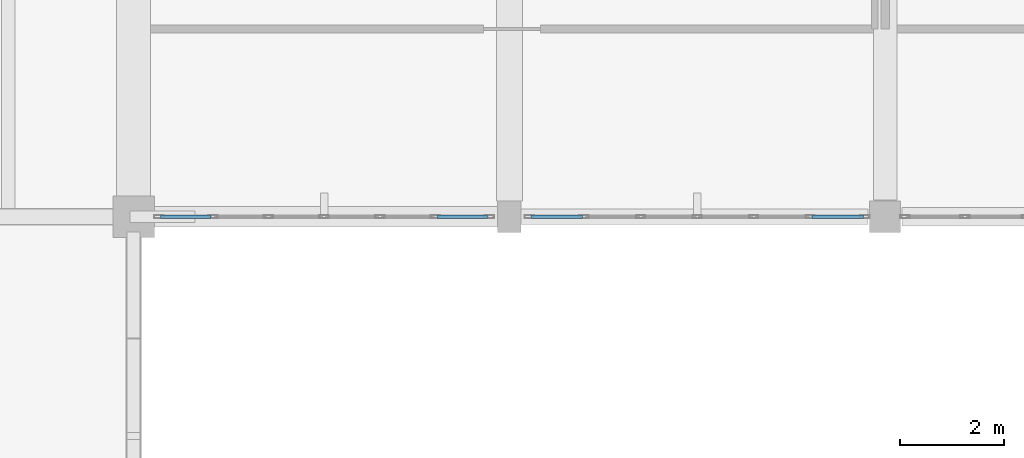
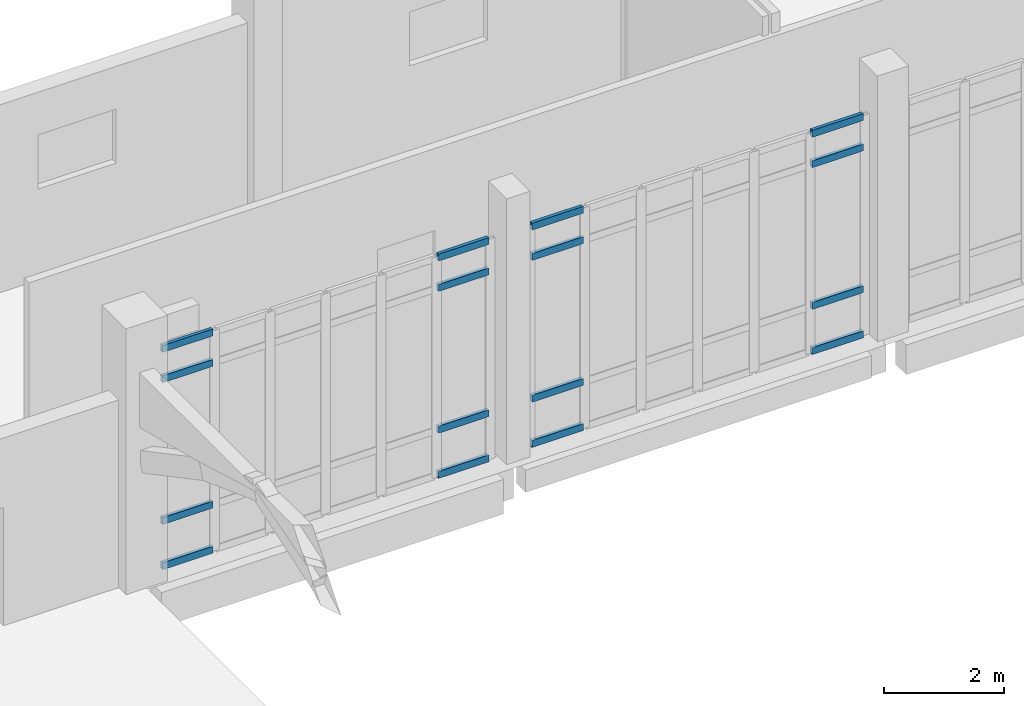
# One storey, part 73 of 110: 16 members, 2 elements without a shape of their own.
"""IFC4 building model written with IfcOpenShell, lengths in metres."""

import ifcopenshell
import ifcopenshell.guid

model = None  # the IFC model being written
_history = None  # IfcOwnerHistory: only IFC2X3 demands one
_inside = {}  # id of a spatial element -> (the spatial element, [elements in it])
_under = {}  # id of a project, library or spatial element -> (it, [spatial elements below it])
_declared = {}  # id of a project -> (the project, [libraries it declares])
_typed = {}  # id of a type object -> (the type object, [elements of that type])
_made_of = {}  # id of a material, layer set ... -> (it, [elements and type objects made of it])


def new_model(schema):
    """Start an empty IFC model of exactly this schema.

    Asked for "IFC4X3", IfcOpenShell would pick the latest addendum, in which some entities
    have other attributes; the version numbers below select the first issue.
    IFC2X3 requires an IfcOwnerHistory on every rooted entity: one is made here for all.
    """
    global model, _history
    if schema == "IFC4X3":
        model = ifcopenshell.file(schema_version=(4, 3, 0, 0))
    else:
        model = ifcopenshell.file(schema=schema)
    _inside.clear()
    _under.clear()
    _declared.clear()
    _typed.clear()
    _made_of.clear()
    _history = None
    if model.schema == "IFC2X3":
        org = make("IfcOrganization", Name="unknown")
        user = make(
            "IfcPersonAndOrganization",
            ThePerson=make("IfcPerson", FamilyName="unknown"),
            TheOrganization=org,
        )
        app = make(
            "IfcApplication",
            ApplicationDeveloper=org,
            Version="unknown",
            ApplicationFullName="unknown",
            ApplicationIdentifier="unknown",
        )
        _history = make(
            "IfcOwnerHistory",
            OwningUser=user,
            OwningApplication=app,
            ChangeAction="ADDED",
            CreationDate=0,
        )
    return model


def make(cls, **values):
    """One entity of the class cls with the attributes given. An attribute that is None is left unset."""
    return model.create_entity(
        cls, **{name: value for name, value in values.items() if value is not None}
    )


def rooted(cls, **values):
    """An entity with a GlobalId (a new one), such as an element, a storey or a relation."""
    return make(cls, GlobalId=ifcopenshell.guid.new(), OwnerHistory=_history, **values)


def si_unit(unit_type, name, prefix=None):
    """IfcSIUnit, for example si_unit("LENGTHUNIT", "METRE", prefix="MILLI")."""
    return make("IfcSIUnit", UnitType=unit_type, Prefix=prefix, Name=name)


def assignment(units):
    """IfcUnitAssignment: the units of a project."""
    return None if units is None else make("IfcUnitAssignment", Units=units)


def point(xyz):
    """IfcCartesianPoint."""
    return None if xyz is None else make("IfcCartesianPoint", Coordinates=xyz)


def direction(xyz):
    """IfcDirection."""
    return None if xyz is None else make("IfcDirection", DirectionRatios=xyz)


def frame(location, z_axis=None, x_axis=None):
    """IfcAxis2Placement3D, a coordinate frame: its origin and axes. An axis left out is left unset."""
    return make(
        "IfcAxis2Placement3D",
        Location=point(location),
        Axis=direction(z_axis),
        RefDirection=direction(x_axis),
    )


def frame_2d(location, x_axis=None):
    """IfcAxis2Placement2D, a coordinate frame in the plane: its origin and x axis."""
    return make(
        "IfcAxis2Placement2D", Location=point(location), RefDirection=direction(x_axis)
    )


def origin():
    """The frame at (0, 0, 0) with its axes left unset."""
    return frame((0.0, 0.0, 0.0))


def origin_2d():
    """The frame at (0, 0) in the plane with its x axis left unset."""
    return frame_2d((0.0, 0.0))


def place(relative_to, where):
    """IfcLocalPlacement: puts the frame where relative to a parent placement (None: the world)."""
    return make(
        "IfcLocalPlacement", PlacementRelTo=relative_to, RelativePlacement=where
    )


def context(
    kind, dimensions, precision=None, world=None, true_north=None, identifier=None
):
    """IfcGeometricRepresentationContext, for example the 3D "Model" context."""
    return make(
        "IfcGeometricRepresentationContext",
        ContextIdentifier=identifier,
        ContextType=kind,
        CoordinateSpaceDimension=dimensions,
        Precision=precision,
        WorldCoordinateSystem=world,
        TrueNorth=true_north,
    )


def subcontext(parent, identifier, kind, view, scale=None):
    """IfcGeometricRepresentationSubContext, for example "Body" below "Model"."""
    return make(
        "IfcGeometricRepresentationSubContext",
        ContextIdentifier=identifier,
        ContextType=kind,
        ParentContext=parent,
        TargetScale=scale,
        TargetView=view,
    )


def project(units=None, contexts=None):
    """IfcProject with its units and contexts."""
    return rooted(
        "IfcProject",
        Name="project",
        RepresentationContexts=contexts,
        UnitsInContext=assignment(units),
    )


def spatial(cls, under=None, at=None, **own):
    """A site, building, storey or space (cls), placed at a placement, below another one or the project."""
    s = rooted(cls, ObjectPlacement=at, **own)
    if under is not None:
        _under.setdefault(under.id(), (under, []))[1].append(s)
    return s


def profile(cls, at=None, kind="AREA", **sizes):
    """A parametric profile (cls). Its sizes go by their IFC names, for example OverallWidth=200.0."""
    return make(cls, ProfileType=kind, Position=at, **sizes)


def hollow_rectangle(**sizes):
    """IfcRectangleHollowProfileDef."""
    return profile("IfcRectangleHollowProfileDef", **sizes)


def extrude(swept, where, along, depth):
    """IfcExtrudedAreaSolid: the profile swept, set in the frame where, extruded along a direction by depth."""
    return make(
        "IfcExtrudedAreaSolid",
        SweptArea=swept,
        Position=where,
        ExtrudedDirection=direction(along),
        Depth=depth,
    )


def shape(context_of_items, identifier, shape_type, items):
    """IfcShapeRepresentation: the items that make up one representation, for example the "Body"."""
    return make(
        "IfcShapeRepresentation",
        ContextOfItems=context_of_items,
        RepresentationIdentifier=identifier,
        RepresentationType=shape_type,
        Items=items,
    )


def material(Name=None, Category=None):
    """IfcMaterial."""
    return make("IfcMaterial", Name=Name, Category=Category)


def material_profile(
    of_material, cross_section, Name=None, Category=None, Priority=None
):
    """IfcMaterialProfile: a cross section and its material."""
    return make(
        "IfcMaterialProfile",
        Name=Name,
        Material=of_material,
        Profile=cross_section,
        Priority=Priority,
        Category=Category,
    )


def profile_set(profiles, Name=None, composite=None):
    """IfcMaterialProfileSet."""
    return make(
        "IfcMaterialProfileSet",
        Name=Name,
        MaterialProfiles=profiles,
        CompositeProfile=composite,
    )


def made_of(thing, what):
    """Note that an element or type object is made of a material, layer set ...; save() writes the relation."""
    if what is not None:
        _made_of.setdefault(what.id(), (what, []))[1].append(thing)
    return thing


def type_object(cls, material=None, **own):
    """A type object (cls), such as IfcWallType, which elements share."""
    return made_of(rooted(cls, **own), material)


def element(
    cls,
    number,
    at=None,
    inside=None,
    cuts=None,
    type_object=None,
    material=None,
    context=None,
    identifier="Body",
    shape_type=None,
    held_by="IfcProductDefinitionShape",
    body=None,
    shapes=None,
    **own,
):
    """One element of the class cls, such as IfcWall. Its Tag is "e" and its number.

    at: its placement. inside: the storey or other place that contains it. cuts: it is an
    opening in that element (IfcRelVoidsElement). A single representation is given by context,
    identifier, shape_type and body (its items); several are given by shapes. held_by: the class
    of the entity that holds the representations. save() writes the other relations.
    """
    e = rooted(cls, Tag="e%d" % number, ObjectPlacement=at, **own)
    if body is not None:
        shapes = [shape(context, identifier, shape_type, body)]
    if shapes is not None:
        e.Representation = make(held_by, Representations=shapes)
    if inside is not None:
        _inside.setdefault(inside.id(), (inside, []))[1].append(e)
    if cuts is not None:
        rooted(
            "IfcRelVoidsElement", RelatingBuildingElement=cuts, RelatedOpeningElement=e
        )
    if type_object is not None:
        _typed.setdefault(type_object.id(), (type_object, []))[1].append(e)
    return made_of(e, material)


def aggregate(whole, parts):
    """IfcRelAggregates: a whole, such as a stair, and the parts it consists of."""
    return rooted("IfcRelAggregates", RelatingObject=whole, RelatedObjects=parts)


def save(model, path):
    """Write the relations noted so far, then the file.

    IfcRelAggregates (storeys below a building ...), IfcRelContainedInSpatialStructure (elements
    in a storey), IfcRelDefinesByType, IfcRelAssociatesMaterial and IfcRelDeclares: one each for
    every whole, place, type object, material and project.
    """
    for whole, parts in _under.values():
        aggregate(whole, parts)
    for where, things in _inside.values():
        rooted(
            "IfcRelContainedInSpatialStructure",
            RelatedElements=things,
            RelatingStructure=where,
        )
    for kind, things in _typed.values():
        rooted("IfcRelDefinesByType", RelatedObjects=things, RelatingType=kind)
    for what, things in _made_of.values():
        rooted("IfcRelAssociatesMaterial", RelatedObjects=things, RelatingMaterial=what)
    for by, libraries in _declared.values():
        rooted("IfcRelDeclares", RelatingContext=by, RelatedDefinitions=libraries)
    model.write(path)


model = new_model("IFC4")

# Units and contexts
model_context = context("Model", 3, precision=1e-05, world=origin(), true_north=direction((0.0, 1.0)))
body_context = subcontext(model_context, "Body", "Model", "MODEL_VIEW")
ifc_project = project(units=[si_unit("LENGTHUNIT", "METRE"), si_unit("AREAUNIT", "SQUARE_METRE"), si_unit("VOLUMEUNIT", "CUBIC_METRE"), si_unit("PLANEANGLEUNIT", "RADIAN"), si_unit("MASSUNIT", "GRAM", prefix="KILO")], contexts=[model_context])

# Site, building, storey
site_placement = place(None, origin())
site = spatial("IfcSite", under=ifc_project, at=site_placement, CompositionType="ELEMENT")
building_placement = place(site_placement, origin())
building = spatial("IfcBuilding", under=site, at=building_placement, Name="Kalluvel Institute of Natural Sciences", CompositionType="ELEMENT")
storey_placement = place(building_placement, origin())
storey = spatial("IfcBuildingStorey", under=building, at=storey_placement, Name="L00", CompositionType="ELEMENT", Elevation=0.0)

# Curtain wall, members
ifc_material = material(Name="Aluminium AW-6063 T6", Category="aluminium")
curtain_wall_type = type_object("IfcCurtainWallType", Name="CW-CLN-54", PredefinedType="USERDEFINED", material=ifc_material)
curtain_wall_1_placement = place(storey_placement, origin())
curtain_wall_1 = element("IfcCurtainWall", 1, at=curtain_wall_1_placement, inside=storey, type_object=curtain_wall_type, Name="L00 Gothic lancet curtain wall CWA-L00-X1152-Y1028", ObjectType="UNITISED LANCET FACADE", PredefinedType="USERDEFINED")
ifc_material_profile = material_profile(ifc_material, hollow_rectangle(XDim=0.06494140625, YDim=0.139892578125, WallThickness=0.00439453125, at=origin_2d()), Name="CWT 65x140")
ifc_profile_set = profile_set([ifc_material_profile], Name="Aluminium AW-6063 T6")
member_type = type_object("IfcMemberType", Name="CWT-65x140", PredefinedType="USERDEFINED", material=ifc_profile_set)
member_1_placement = place(storey_placement, frame((115.31494140625, 102.800048828125, 0.032470703125), z_axis=(1.0, 0.0, 0.0), x_axis=(0.0, 1.0, 0.0)))
member_1 = element("IfcMember", 2, at=member_1_placement, type_object=member_type, Name="CW-09 transom 1.1", ObjectType="TRANSOM", PredefinedType="USERDEFINED", context=body_context, shape_type="SweptSolid", body=[
    extrude(hollow_rectangle(XDim=0.06494140625, YDim=0.139892578125, WallThickness=0.00439453125, at=origin_2d()), origin(), (0.0, 0.0, 1.0), 0.96923828125),
])
member_2_placement = place(storey_placement, frame((115.31494140625, 102.800048828125, 0.949951171875), z_axis=(1.0, 0.0, 0.0), x_axis=(0.0, 1.0, 0.0)))
member_2 = element("IfcMember", 3, at=member_2_placement, type_object=member_type, Name="CW-09 transom 1.2", ObjectType="TRANSOM", PredefinedType="USERDEFINED", context=body_context, shape_type="SweptSolid", body=[
    extrude(hollow_rectangle(XDim=0.06494140625, YDim=0.139892578125, WallThickness=0.00439453125, at=origin_2d()), origin(), (0.0, 0.0, 1.0), 0.96923828125),
])
member_3_placement = place(storey_placement, frame((115.31494140625, 102.800048828125, 3.830078125), z_axis=(1.0, 0.0, 0.0), x_axis=(0.0, 1.0, 0.0)))
member_3 = element("IfcMember", 4, at=member_3_placement, type_object=member_type, Name="CW-09 transom 1.3", ObjectType="TRANSOM", PredefinedType="USERDEFINED", context=body_context, shape_type="SweptSolid", body=[
    extrude(hollow_rectangle(XDim=0.06494140625, YDim=0.139892578125, WallThickness=0.00439453125, at=origin_2d()), origin(), (0.0, 0.0, 1.0), 0.96923828125),
])
member_4_placement = place(storey_placement, frame((115.31494140625, 102.800048828125, 4.447509765625), z_axis=(1.0, 0.0, 0.0), x_axis=(0.0, 1.0, 0.0)))
member_4 = element("IfcMember", 5, at=member_4_placement, type_object=member_type, Name="CW-09 transom 1.4", ObjectType="TRANSOM", PredefinedType="USERDEFINED", context=body_context, shape_type="SweptSolid", body=[
    extrude(hollow_rectangle(XDim=0.06494140625, YDim=0.139892578125, WallThickness=0.00439453125, at=origin_2d()), origin(), (0.0, 0.0, 1.0), 0.96923828125),
])
member_5_placement = place(storey_placement, frame((120.61572265625, 102.800048828125, 0.032470703125), z_axis=(1.0, 0.0, 0.0), x_axis=(0.0, 1.0, 0.0)))
member_5 = element("IfcMember", 6, at=member_5_placement, type_object=member_type, Name="CW-09 transom 6.1", ObjectType="TRANSOM", PredefinedType="USERDEFINED", context=body_context, shape_type="SweptSolid", body=[
    extrude(hollow_rectangle(XDim=0.06494140625, YDim=0.139892578125, WallThickness=0.00439453125, at=origin_2d()), origin(), (0.0, 0.0, 1.0), 0.96923828125),
])
member_6_placement = place(storey_placement, frame((120.61572265625, 102.800048828125, 0.949951171875), z_axis=(1.0, 0.0, 0.0), x_axis=(0.0, 1.0, 0.0)))
member_6 = element("IfcMember", 7, at=member_6_placement, type_object=member_type, Name="CW-09 transom 6.2", ObjectType="TRANSOM", PredefinedType="USERDEFINED", context=body_context, shape_type="SweptSolid", body=[
    extrude(hollow_rectangle(XDim=0.06494140625, YDim=0.139892578125, WallThickness=0.00439453125, at=origin_2d()), origin(), (0.0, 0.0, 1.0), 0.96923828125),
])
member_7_placement = place(storey_placement, frame((120.61572265625, 102.800048828125, 3.830078125), z_axis=(1.0, 0.0, 0.0), x_axis=(0.0, 1.0, 0.0)))
member_7 = element("IfcMember", 8, at=member_7_placement, type_object=member_type, Name="CW-09 transom 6.3", ObjectType="TRANSOM", PredefinedType="USERDEFINED", context=body_context, shape_type="SweptSolid", body=[
    extrude(hollow_rectangle(XDim=0.06494140625, YDim=0.139892578125, WallThickness=0.00439453125, at=origin_2d()), origin(), (0.0, 0.0, 1.0), 0.96923828125),
])
member_8_placement = place(storey_placement, frame((120.61572265625, 102.800048828125, 4.447509765625), z_axis=(1.0, 0.0, 0.0), x_axis=(0.0, 1.0, 0.0)))
member_8 = element("IfcMember", 9, at=member_8_placement, type_object=member_type, Name="CW-09 transom 6.4", ObjectType="TRANSOM", PredefinedType="USERDEFINED", context=body_context, shape_type="SweptSolid", body=[
    extrude(hollow_rectangle(XDim=0.06494140625, YDim=0.139892578125, WallThickness=0.00439453125, at=origin_2d()), origin(), (0.0, 0.0, 1.0), 0.96923828125),
])
aggregate(curtain_wall_1, [member_1, member_2, member_3, member_4, member_5, member_6, member_7, member_8])

curtain_wall_2_placement = place(storey_placement, origin())
curtain_wall_2 = element("IfcCurtainWall", 10, at=curtain_wall_2_placement, inside=storey, type_object=curtain_wall_type, Name="L00 Gothic lancet curtain wall CWA-L00-X1224-Y1028", ObjectType="UNITISED LANCET FACADE", PredefinedType="USERDEFINED")
member_9_placement = place(storey_placement, frame((122.4150390625, 102.800048828125, 0.032470703125), z_axis=(1.0, 0.0, 0.0), x_axis=(0.0, 1.0, 0.0)))
member_9 = element("IfcMember", 11, at=member_9_placement, type_object=member_type, Name="CW-09 transom 1.1", ObjectType="TRANSOM", PredefinedType="USERDEFINED", context=body_context, shape_type="SweptSolid", body=[
    extrude(hollow_rectangle(XDim=0.06494140625, YDim=0.139892578125, WallThickness=0.00439453125, at=origin_2d()), origin(), (0.0, 0.0, 1.0), 0.98583984375),
])
member_10_placement = place(storey_placement, frame((122.4150390625, 102.800048828125, 0.949951171875), z_axis=(1.0, 0.0, 0.0), x_axis=(0.0, 1.0, 0.0)))
member_10 = element("IfcMember", 12, at=member_10_placement, type_object=member_type, Name="CW-09 transom 1.2", ObjectType="TRANSOM", PredefinedType="USERDEFINED", context=body_context, shape_type="SweptSolid", body=[
    extrude(hollow_rectangle(XDim=0.06494140625, YDim=0.139892578125, WallThickness=0.00439453125, at=origin_2d()), origin(), (0.0, 0.0, 1.0), 0.98583984375),
])
member_11_placement = place(storey_placement, frame((122.4150390625, 102.800048828125, 3.830078125), z_axis=(1.0, 0.0, 0.0), x_axis=(0.0, 1.0, 0.0)))
member_11 = element("IfcMember", 13, at=member_11_placement, type_object=member_type, Name="CW-09 transom 1.3", ObjectType="TRANSOM", PredefinedType="USERDEFINED", context=body_context, shape_type="SweptSolid", body=[
    extrude(hollow_rectangle(XDim=0.06494140625, YDim=0.139892578125, WallThickness=0.00439453125, at=origin_2d()), origin(), (0.0, 0.0, 1.0), 0.98583984375),
])
member_12_placement = place(storey_placement, frame((122.4150390625, 102.800048828125, 4.447509765625), z_axis=(1.0, 0.0, 0.0), x_axis=(0.0, 1.0, 0.0)))
member_12 = element("IfcMember", 14, at=member_12_placement, type_object=member_type, Name="CW-09 transom 1.4", ObjectType="TRANSOM", PredefinedType="USERDEFINED", context=body_context, shape_type="SweptSolid", body=[
    extrude(hollow_rectangle(XDim=0.06494140625, YDim=0.139892578125, WallThickness=0.00439453125, at=origin_2d()), origin(), (0.0, 0.0, 1.0), 0.98583984375),
])
member_13_placement = place(storey_placement, frame((127.799072265625, 102.800048828125, 0.032470703125), z_axis=(1.0, 0.0, 0.0), x_axis=(0.0, 1.0, 0.0)))
member_13 = element("IfcMember", 15, at=member_13_placement, type_object=member_type, Name="CW-09 transom 6.1", ObjectType="TRANSOM", PredefinedType="USERDEFINED", context=body_context, shape_type="SweptSolid", body=[
    extrude(hollow_rectangle(XDim=0.06494140625, YDim=0.139892578125, WallThickness=0.00439453125, at=origin_2d()), origin(), (0.0, 0.0, 1.0), 0.98583984375),
])
member_14_placement = place(storey_placement, frame((127.799072265625, 102.800048828125, 0.949951171875), z_axis=(1.0, 0.0, 0.0), x_axis=(0.0, 1.0, 0.0)))
member_14 = element("IfcMember", 16, at=member_14_placement, type_object=member_type, Name="CW-09 transom 6.2", ObjectType="TRANSOM", PredefinedType="USERDEFINED", context=body_context, shape_type="SweptSolid", body=[
    extrude(hollow_rectangle(XDim=0.06494140625, YDim=0.139892578125, WallThickness=0.00439453125, at=origin_2d()), origin(), (0.0, 0.0, 1.0), 0.98583984375),
])
member_15_placement = place(storey_placement, frame((127.799072265625, 102.800048828125, 3.830078125), z_axis=(1.0, 0.0, 0.0), x_axis=(0.0, 1.0, 0.0)))
member_15 = element("IfcMember", 17, at=member_15_placement, type_object=member_type, Name="CW-09 transom 6.3", ObjectType="TRANSOM", PredefinedType="USERDEFINED", context=body_context, shape_type="SweptSolid", body=[
    extrude(hollow_rectangle(XDim=0.06494140625, YDim=0.139892578125, WallThickness=0.00439453125, at=origin_2d()), origin(), (0.0, 0.0, 1.0), 0.98583984375),
])
member_16_placement = place(storey_placement, frame((127.799072265625, 102.800048828125, 4.447509765625), z_axis=(1.0, 0.0, 0.0), x_axis=(0.0, 1.0, 0.0)))
member_16 = element("IfcMember", 18, at=member_16_placement, type_object=member_type, Name="CW-09 transom 6.4", ObjectType="TRANSOM", PredefinedType="USERDEFINED", context=body_context, shape_type="SweptSolid", body=[
    extrude(hollow_rectangle(XDim=0.06494140625, YDim=0.139892578125, WallThickness=0.00439453125, at=origin_2d()), origin(), (0.0, 0.0, 1.0), 0.98583984375),
])
aggregate(curtain_wall_2, [member_9, member_10, member_11, member_12, member_13, member_14, member_15, member_16])

save(model, "model.ifc")
